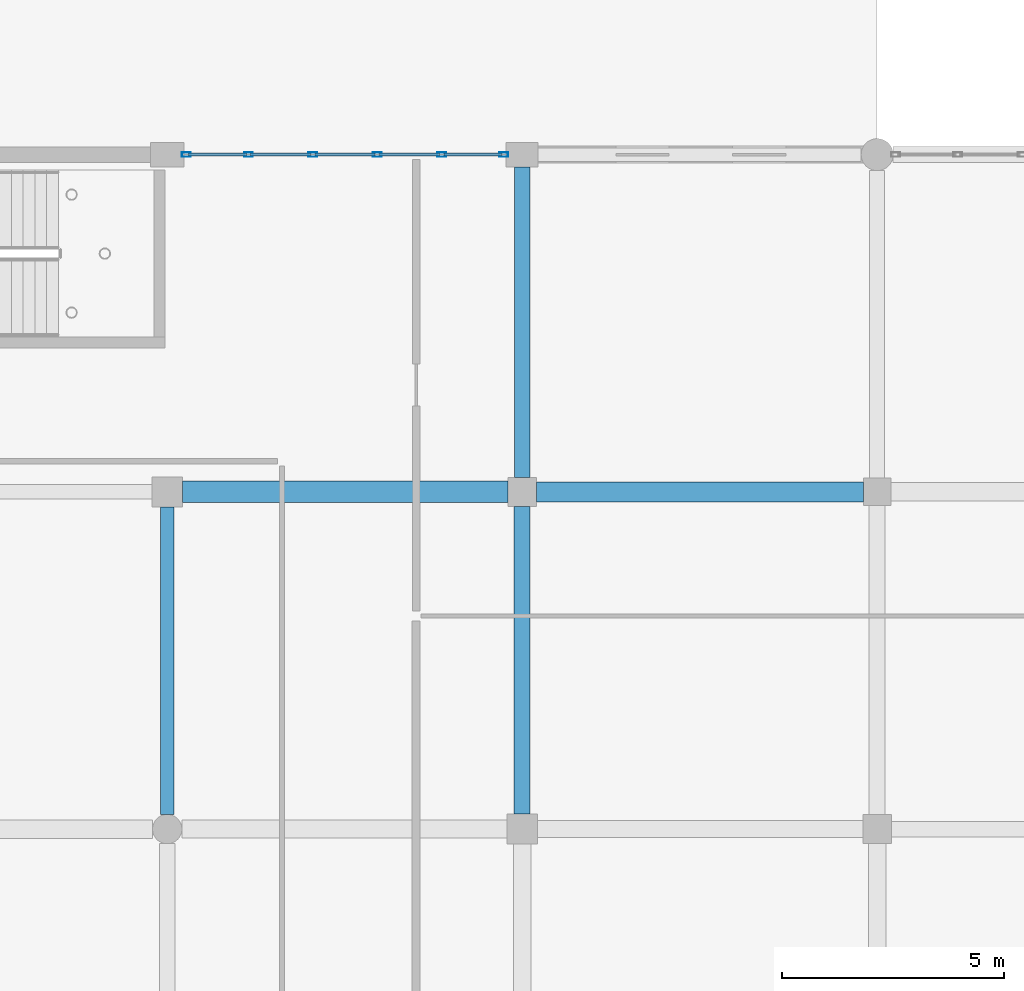
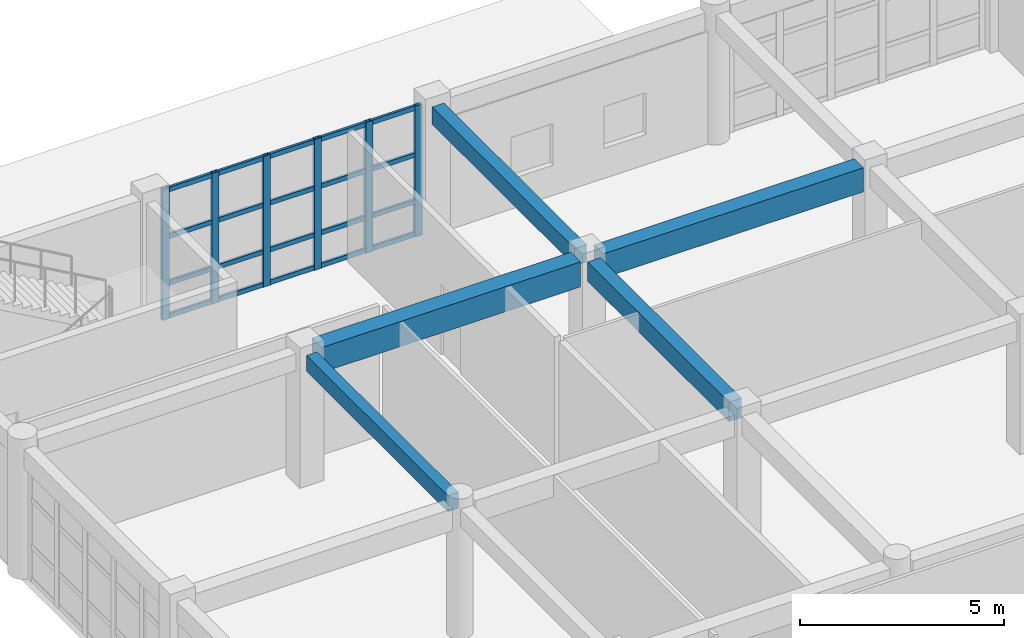
# One storey, part 121 of 195: 26 members, 5 beams, 1 element without a shape of its own.
"""IFC4 building model written with IfcOpenShell, lengths in metres."""

from ifc_helpers import new_model, si_unit, direction, frame, origin, origin_2d, place, context, subcontext, project, spatial, rectangle, hollow_rectangle, extrude, material, material_profile, profile_set, type_object, element, aggregate, save


model = new_model("IFC4")

# Units and contexts
model_context = context("Model", 3, precision=1e-05, world=origin(), true_north=direction((0.0, 1.0)))
body_context = subcontext(model_context, "Body", "Model", "MODEL_VIEW")
ifc_project = project(units=[si_unit("LENGTHUNIT", "METRE"), si_unit("AREAUNIT", "SQUARE_METRE"), si_unit("VOLUMEUNIT", "CUBIC_METRE"), si_unit("PLANEANGLEUNIT", "RADIAN"), si_unit("MASSUNIT", "GRAM", prefix="KILO")], contexts=[model_context])

# Site, building, storey
site_placement = place(None, origin())
site = spatial("IfcSite", under=ifc_project, at=site_placement, CompositionType="ELEMENT")
building_placement = place(site_placement, origin())
building = spatial("IfcBuilding", under=site, at=building_placement, Name="Kharva Crest Polytechnic", CompositionType="ELEMENT")
storey_placement = place(building_placement, frame((0.0, 0.0, 9.0)))
storey = spatial("IfcBuildingStorey", under=building, at=storey_placement, Name="L02", CompositionType="ELEMENT", Elevation=9.0)

# Beams
ifc_material_1 = material(Name="Concrete C35/45", Category="concrete")
ifc_material_profile_1 = material_profile(ifc_material_1, rectangle(XDim=0.300048828125, YDim=0.47998046875, at=origin_2d()), Name="RECT 300 X 480")
ifc_profile_set_1 = profile_set([ifc_material_profile_1], Name="Concrete C35/45")
beam_type_1 = type_object("IfcBeamType", Name="BM-RC-300X480", PredefinedType="BEAM", material=ifc_profile_set_1)
beam_1_placement = place(storey_placement, frame((128.800048828125, 15.530029296875, 3.679931640625), z_axis=(0.0, 1.0, 0.0), x_axis=(-1.0, 0.0, 0.0)))
element("IfcBeam", 1, at=beam_1_placement, inside=storey, type_object=beam_type_1, Name="L02 Girder 17/C-D", PredefinedType="BEAM", context=body_context, shape_type="SweptSolid", body=[
    extrude(rectangle(XDim=0.300048828125, YDim=0.47998046875, at=origin_2d()), origin(), (0.0, 0.0, 1.0), 6.929931640625),
])
ifc_material_profile_2 = material_profile(ifc_material_1, rectangle(XDim=0.340087890625, YDim=0.52001953125, at=origin_2d()), Name="RECT 340 X 520")
ifc_profile_set_2 = profile_set([ifc_material_profile_2], Name="Concrete C35/45")
beam_type_2 = type_object("IfcBeamType", Name="BM-RC-340X520", PredefinedType="BEAM", material=ifc_profile_set_2)
beam_2_placement = place(storey_placement, frame((136.800048828125, 23.125, 3.659912109375), z_axis=(0.0, 1.0, 0.0), x_axis=(-1.0, 0.0, 0.0)))
element("IfcBeam", 2, at=beam_2_placement, inside=storey, type_object=beam_type_2, Name="L02 Girder 18/D-E", PredefinedType="BEAM", context=body_context, shape_type="SweptSolid", body=[
    extrude(rectangle(XDim=0.340087890625, YDim=0.52001953125, at=origin_2d()), origin(), (0.0, 0.0, 1.0), 7.0),
])
ifc_material_profile_3 = material_profile(ifc_material_1, rectangle(XDim=0.360107421875, YDim=0.580078125, at=origin_2d()), Name="RECT 360 X 580")
ifc_profile_set_3 = profile_set([ifc_material_profile_3], Name="Concrete C35/45")
beam_type_3 = type_object("IfcBeamType", Name="BM-RC-360X580", PredefinedType="BEAM", material=ifc_profile_set_3)
beam_3_placement = place(storey_placement, frame((136.800048828125, 15.5400390625, 3.6298828125), z_axis=(0.0, 1.0, 0.0), x_axis=(-1.0, 0.0, 0.0)))
element("IfcBeam", 3, at=beam_3_placement, inside=storey, type_object=beam_type_3, Name="L02 Girder 18/C-D", PredefinedType="BEAM", context=body_context, shape_type="SweptSolid", body=[
    extrude(rectangle(XDim=0.360107421875, YDim=0.580078125, at=origin_2d()), origin(), (0.0, 0.0, 1.0), 6.93505859375),
])
ifc_material_profile_4 = material_profile(ifc_material_1, rectangle(XDim=0.449951171875, YDim=0.719970703125, at=origin_2d()), Name="RECT 450 X 720")
ifc_profile_set_4 = profile_set([ifc_material_profile_4], Name="Concrete C35/45")
beam_type_4 = type_object("IfcBeamType", Name="BM-RC-450X720", PredefinedType="BEAM", material=ifc_profile_set_4)
beam_4_placement = place(storey_placement, frame((137.125, 22.800048828125, 3.56005859375), z_axis=(1.0, 0.0, 0.0), x_axis=(0.0, 1.0, 0.0)))
element("IfcBeam", 4, at=beam_4_placement, inside=storey, type_object=beam_type_4, Name="L02 Beam D/18-19", PredefinedType="BEAM", context=body_context, shape_type="SweptSolid", body=[
    extrude(rectangle(XDim=0.449951171875, YDim=0.719970703125, at=origin_2d()), origin(), (0.0, 0.0, 1.0), 7.364990234375),
])
ifc_material_profile_5 = material_profile(ifc_material_1, rectangle(XDim=0.47998046875, YDim=0.75, at=origin_2d()), Name="RECT 480 X 750")
ifc_profile_set_5 = profile_set([ifc_material_profile_5], Name="Concrete C35/45")
beam_type_5 = type_object("IfcBeamType", Name="BM-RC-480X750", PredefinedType="BEAM", material=ifc_profile_set_5)
beam_5_placement = place(storey_placement, frame((129.139892578125, 22.800048828125, 3.544921875), z_axis=(1.0, 0.0, 0.0), x_axis=(0.0, 1.0, 0.0)))
element("IfcBeam", 5, at=beam_5_placement, inside=storey, type_object=beam_type_5, Name="L02 Beam D/17-18", PredefinedType="BEAM", context=body_context, shape_type="SweptSolid", body=[
    extrude(rectangle(XDim=0.47998046875, YDim=0.75, at=origin_2d()), origin(), (0.0, 0.0, 1.0), 7.335205078125),
])

# Curtain wall, members
ifc_material_2 = material(Name="Tempered insulated glass", Category="glass")
curtain_wall_type = type_object("IfcCurtainWallType", Name="CW-SYS-REFECTORY", PredefinedType="USERDEFINED", material=ifc_material_2)
curtain_wall_placement = place(storey_placement, origin())
curtain_wall = element("IfcCurtainWall", 6, at=curtain_wall_placement, inside=storey, type_object=curtain_wall_type, Name="L02 Glazed Curtain Wall CW-097", ObjectType="CURTAIN WALL", PredefinedType="USERDEFINED")
ifc_material_3 = material(Name="Steel S355", Category="steel")
ifc_material_profile_6 = material_profile(ifc_material_3, hollow_rectangle(XDim=0.10009765625, YDim=0.199951171875, WallThickness=0.00634765625, at=origin_2d()), Name="RHS 200X100X6.3")
ifc_profile_set_6 = profile_set([ifc_material_profile_6], Name="Steel S355")
member_type_1 = type_object("IfcMemberType", Name="CWM-RHS200X100", PredefinedType="MULLION", material=ifc_profile_set_6)
member_1_placement = place(storey_placement, frame((136.385009765625, 30.39990234375, 0.0), z_axis=(0.0, 0.0, 1.0), x_axis=(0.0, -1.0, 0.0)))
member_1 = element("IfcMember", 7, at=member_1_placement, type_object=member_type_1, Name="CW-097 mullion 1", PredefinedType="MULLION", context=body_context, shape_type="SweptSolid", body=[
    extrude(hollow_rectangle(XDim=0.10009765625, YDim=0.199951171875, WallThickness=0.00634765625, at=origin_2d()), origin(), (0.0, 0.0, 1.0), 3.919921875),
])
member_2_placement = place(storey_placement, frame((134.98388671875, 30.39990234375, 0.0), z_axis=(0.0, 0.0, 1.0), x_axis=(0.0, -1.0, 0.0)))
member_2 = element("IfcMember", 8, at=member_2_placement, type_object=member_type_1, Name="CW-097 mullion 2", PredefinedType="MULLION", context=body_context, shape_type="SweptSolid", body=[
    extrude(hollow_rectangle(XDim=0.10009765625, YDim=0.199951171875, WallThickness=0.00634765625, at=origin_2d()), origin(), (0.0, 0.0, 1.0), 3.919921875),
])
member_3_placement = place(storey_placement, frame((133.532958984375, 30.39990234375, 0.0), z_axis=(0.0, 0.0, 1.0), x_axis=(0.0, -1.0, 0.0)))
member_3 = element("IfcMember", 9, at=member_3_placement, type_object=member_type_1, Name="CW-097 mullion 3", PredefinedType="MULLION", context=body_context, shape_type="SweptSolid", body=[
    extrude(hollow_rectangle(XDim=0.10009765625, YDim=0.199951171875, WallThickness=0.00634765625, at=origin_2d()), origin(), (0.0, 0.0, 1.0), 3.919921875),
])
member_4_placement = place(storey_placement, frame((132.08203125, 30.39990234375, 0.0), z_axis=(0.0, 0.0, 1.0), x_axis=(0.0, -1.0, 0.0)))
member_4 = element("IfcMember", 10, at=member_4_placement, type_object=member_type_1, Name="CW-097 mullion 4", PredefinedType="MULLION", context=body_context, shape_type="SweptSolid", body=[
    extrude(hollow_rectangle(XDim=0.10009765625, YDim=0.199951171875, WallThickness=0.00634765625, at=origin_2d()), origin(), (0.0, 0.0, 1.0), 3.919921875),
])
member_5_placement = place(storey_placement, frame((130.631103515625, 30.39990234375, 0.0), z_axis=(0.0, 0.0, 1.0), x_axis=(0.0, -1.0, 0.0)))
member_5 = element("IfcMember", 11, at=member_5_placement, type_object=member_type_1, Name="CW-097 mullion 5", PredefinedType="MULLION", context=body_context, shape_type="SweptSolid", body=[
    extrude(hollow_rectangle(XDim=0.10009765625, YDim=0.199951171875, WallThickness=0.00634765625, at=origin_2d()), origin(), (0.0, 0.0, 1.0), 3.919921875),
])
member_6_placement = place(storey_placement, frame((129.22998046875, 30.39990234375, 0.0), z_axis=(0.0, 0.0, 1.0), x_axis=(0.0, -1.0, 0.0)))
member_6 = element("IfcMember", 12, at=member_6_placement, type_object=member_type_1, Name="CW-097 mullion 6", PredefinedType="MULLION", context=body_context, shape_type="SweptSolid", body=[
    extrude(hollow_rectangle(XDim=0.10009765625, YDim=0.199951171875, WallThickness=0.00634765625, at=origin_2d()), origin(), (0.0, 0.0, 1.0), 3.919921875),
])
ifc_material_profile_7 = material_profile(ifc_material_3, hollow_rectangle(XDim=0.070068359375, YDim=0.139892578125, WallThickness=0.00390625, at=origin_2d()), Name="RHS 140X70X4.0")
ifc_profile_set_7 = profile_set([ifc_material_profile_7], Name="Steel S355")
member_type_2 = type_object("IfcMemberType", Name="CWT-RHS140X70", PredefinedType="USERDEFINED", material=ifc_profile_set_7)
member_7_placement = place(storey_placement, frame((136.3349609375, 30.39990234375, 0.070068359375), z_axis=(-1.0, 0.0, 0.0), x_axis=(0.0, -1.0, 0.0)))
member_7 = element("IfcMember", 13, at=member_7_placement, type_object=member_type_2, Name="CW-097 transom 1.1", ObjectType="TRANSOM", PredefinedType="USERDEFINED", context=body_context, shape_type="SweptSolid", body=[
    extrude(hollow_rectangle(XDim=0.070068359375, YDim=0.139892578125, WallThickness=0.00390625, at=origin_2d()), origin(), (0.0, 0.0, 1.0), 1.301025390625),
])
member_8_placement = place(storey_placement, frame((136.3349609375, 30.39990234375, 1.050048828125), z_axis=(-1.0, 0.0, 0.0), x_axis=(0.0, -1.0, 0.0)))
member_8 = element("IfcMember", 14, at=member_8_placement, type_object=member_type_2, Name="CW-097 transom 1.2", ObjectType="TRANSOM", PredefinedType="USERDEFINED", context=body_context, shape_type="SweptSolid", body=[
    extrude(hollow_rectangle(XDim=0.070068359375, YDim=0.139892578125, WallThickness=0.00390625, at=origin_2d()), origin(), (0.0, 0.0, 1.0), 1.301025390625),
])
member_9_placement = place(storey_placement, frame((136.3349609375, 30.39990234375, 2.449951171875), z_axis=(-1.0, 0.0, 0.0), x_axis=(0.0, -1.0, 0.0)))
member_9 = element("IfcMember", 15, at=member_9_placement, type_object=member_type_2, Name="CW-097 transom 1.3", ObjectType="TRANSOM", PredefinedType="USERDEFINED", context=body_context, shape_type="SweptSolid", body=[
    extrude(hollow_rectangle(XDim=0.070068359375, YDim=0.139892578125, WallThickness=0.00390625, at=origin_2d()), origin(), (0.0, 0.0, 1.0), 1.301025390625),
])
member_10_placement = place(storey_placement, frame((136.3349609375, 30.39990234375, 3.85009765625), z_axis=(-1.0, 0.0, 0.0), x_axis=(0.0, -1.0, 0.0)))
member_10 = element("IfcMember", 16, at=member_10_placement, type_object=member_type_2, Name="CW-097 transom 1.4", ObjectType="TRANSOM", PredefinedType="USERDEFINED", context=body_context, shape_type="SweptSolid", body=[
    extrude(hollow_rectangle(XDim=0.070068359375, YDim=0.139892578125, WallThickness=0.00390625, at=origin_2d()), origin(), (0.0, 0.0, 1.0), 1.301025390625),
])
member_11_placement = place(storey_placement, frame((134.93408203125, 30.39990234375, 0.070068359375), z_axis=(-1.0, 0.0, 0.0), x_axis=(0.0, -1.0, 0.0)))
member_11 = element("IfcMember", 17, at=member_11_placement, type_object=member_type_2, Name="CW-097 transom 2.1", ObjectType="TRANSOM", PredefinedType="USERDEFINED", context=body_context, shape_type="SweptSolid", body=[
    extrude(hollow_rectangle(XDim=0.070068359375, YDim=0.139892578125, WallThickness=0.00390625, at=origin_2d()), origin(), (0.0, 0.0, 1.0), 1.35107421875),
])
member_12_placement = place(storey_placement, frame((134.93408203125, 30.39990234375, 1.050048828125), z_axis=(-1.0, 0.0, 0.0), x_axis=(0.0, -1.0, 0.0)))
member_12 = element("IfcMember", 18, at=member_12_placement, type_object=member_type_2, Name="CW-097 transom 2.2", ObjectType="TRANSOM", PredefinedType="USERDEFINED", context=body_context, shape_type="SweptSolid", body=[
    extrude(hollow_rectangle(XDim=0.070068359375, YDim=0.139892578125, WallThickness=0.00390625, at=origin_2d()), origin(), (0.0, 0.0, 1.0), 1.35107421875),
])
member_13_placement = place(storey_placement, frame((134.93408203125, 30.39990234375, 2.449951171875), z_axis=(-1.0, 0.0, 0.0), x_axis=(0.0, -1.0, 0.0)))
member_13 = element("IfcMember", 19, at=member_13_placement, type_object=member_type_2, Name="CW-097 transom 2.3", ObjectType="TRANSOM", PredefinedType="USERDEFINED", context=body_context, shape_type="SweptSolid", body=[
    extrude(hollow_rectangle(XDim=0.070068359375, YDim=0.139892578125, WallThickness=0.00390625, at=origin_2d()), origin(), (0.0, 0.0, 1.0), 1.35107421875),
])
member_14_placement = place(storey_placement, frame((134.93408203125, 30.39990234375, 3.85009765625), z_axis=(-1.0, 0.0, 0.0), x_axis=(0.0, -1.0, 0.0)))
member_14 = element("IfcMember", 20, at=member_14_placement, type_object=member_type_2, Name="CW-097 transom 2.4", ObjectType="TRANSOM", PredefinedType="USERDEFINED", context=body_context, shape_type="SweptSolid", body=[
    extrude(hollow_rectangle(XDim=0.070068359375, YDim=0.139892578125, WallThickness=0.00390625, at=origin_2d()), origin(), (0.0, 0.0, 1.0), 1.35107421875),
])
member_15_placement = place(storey_placement, frame((133.48291015625, 30.39990234375, 0.070068359375), z_axis=(-1.0, 0.0, 0.0), x_axis=(0.0, -1.0, 0.0)))
member_15 = element("IfcMember", 21, at=member_15_placement, type_object=member_type_2, Name="CW-097 transom 3.1", ObjectType="TRANSOM", PredefinedType="USERDEFINED", context=body_context, shape_type="SweptSolid", body=[
    extrude(hollow_rectangle(XDim=0.070068359375, YDim=0.139892578125, WallThickness=0.00390625, at=origin_2d()), origin(), (0.0, 0.0, 1.0), 1.350830078125),
])
member_16_placement = place(storey_placement, frame((133.48291015625, 30.39990234375, 1.050048828125), z_axis=(-1.0, 0.0, 0.0), x_axis=(0.0, -1.0, 0.0)))
member_16 = element("IfcMember", 22, at=member_16_placement, type_object=member_type_2, Name="CW-097 transom 3.2", ObjectType="TRANSOM", PredefinedType="USERDEFINED", context=body_context, shape_type="SweptSolid", body=[
    extrude(hollow_rectangle(XDim=0.070068359375, YDim=0.139892578125, WallThickness=0.00390625, at=origin_2d()), origin(), (0.0, 0.0, 1.0), 1.350830078125),
])
member_17_placement = place(storey_placement, frame((133.48291015625, 30.39990234375, 2.449951171875), z_axis=(-1.0, 0.0, 0.0), x_axis=(0.0, -1.0, 0.0)))
member_17 = element("IfcMember", 23, at=member_17_placement, type_object=member_type_2, Name="CW-097 transom 3.3", ObjectType="TRANSOM", PredefinedType="USERDEFINED", context=body_context, shape_type="SweptSolid", body=[
    extrude(hollow_rectangle(XDim=0.070068359375, YDim=0.139892578125, WallThickness=0.00390625, at=origin_2d()), origin(), (0.0, 0.0, 1.0), 1.350830078125),
])
member_18_placement = place(storey_placement, frame((133.48291015625, 30.39990234375, 3.85009765625), z_axis=(-1.0, 0.0, 0.0), x_axis=(0.0, -1.0, 0.0)))
member_18 = element("IfcMember", 24, at=member_18_placement, type_object=member_type_2, Name="CW-097 transom 3.4", ObjectType="TRANSOM", PredefinedType="USERDEFINED", context=body_context, shape_type="SweptSolid", body=[
    extrude(hollow_rectangle(XDim=0.070068359375, YDim=0.139892578125, WallThickness=0.00390625, at=origin_2d()), origin(), (0.0, 0.0, 1.0), 1.350830078125),
])
member_19_placement = place(storey_placement, frame((132.031982421875, 30.39990234375, 0.070068359375), z_axis=(-1.0, 0.0, 0.0), x_axis=(0.0, -1.0, 0.0)))
member_19 = element("IfcMember", 25, at=member_19_placement, type_object=member_type_2, Name="CW-097 transom 4.1", ObjectType="TRANSOM", PredefinedType="USERDEFINED", context=body_context, shape_type="SweptSolid", body=[
    extrude(hollow_rectangle(XDim=0.070068359375, YDim=0.139892578125, WallThickness=0.00390625, at=origin_2d()), origin(), (0.0, 0.0, 1.0), 1.35107421875),
])
member_20_placement = place(storey_placement, frame((132.031982421875, 30.39990234375, 1.050048828125), z_axis=(-1.0, 0.0, 0.0), x_axis=(0.0, -1.0, 0.0)))
member_20 = element("IfcMember", 26, at=member_20_placement, type_object=member_type_2, Name="CW-097 transom 4.2", ObjectType="TRANSOM", PredefinedType="USERDEFINED", context=body_context, shape_type="SweptSolid", body=[
    extrude(hollow_rectangle(XDim=0.070068359375, YDim=0.139892578125, WallThickness=0.00390625, at=origin_2d()), origin(), (0.0, 0.0, 1.0), 1.35107421875),
])
member_21_placement = place(storey_placement, frame((132.031982421875, 30.39990234375, 2.449951171875), z_axis=(-1.0, 0.0, 0.0), x_axis=(0.0, -1.0, 0.0)))
member_21 = element("IfcMember", 27, at=member_21_placement, type_object=member_type_2, Name="CW-097 transom 4.3", ObjectType="TRANSOM", PredefinedType="USERDEFINED", context=body_context, shape_type="SweptSolid", body=[
    extrude(hollow_rectangle(XDim=0.070068359375, YDim=0.139892578125, WallThickness=0.00390625, at=origin_2d()), origin(), (0.0, 0.0, 1.0), 1.35107421875),
])
member_22_placement = place(storey_placement, frame((132.031982421875, 30.39990234375, 3.85009765625), z_axis=(-1.0, 0.0, 0.0), x_axis=(0.0, -1.0, 0.0)))
member_22 = element("IfcMember", 28, at=member_22_placement, type_object=member_type_2, Name="CW-097 transom 4.4", ObjectType="TRANSOM", PredefinedType="USERDEFINED", context=body_context, shape_type="SweptSolid", body=[
    extrude(hollow_rectangle(XDim=0.070068359375, YDim=0.139892578125, WallThickness=0.00390625, at=origin_2d()), origin(), (0.0, 0.0, 1.0), 1.35107421875),
])
member_23_placement = place(storey_placement, frame((130.5810546875, 30.39990234375, 0.070068359375), z_axis=(-1.0, 0.0, 0.0), x_axis=(0.0, -1.0, 0.0)))
member_23 = element("IfcMember", 29, at=member_23_placement, type_object=member_type_2, Name="CW-097 transom 5.1", ObjectType="TRANSOM", PredefinedType="USERDEFINED", context=body_context, shape_type="SweptSolid", body=[
    extrude(hollow_rectangle(XDim=0.070068359375, YDim=0.139892578125, WallThickness=0.00390625, at=origin_2d()), origin(), (0.0, 0.0, 1.0), 1.301025390625),
])
member_24_placement = place(storey_placement, frame((130.5810546875, 30.39990234375, 1.050048828125), z_axis=(-1.0, 0.0, 0.0), x_axis=(0.0, -1.0, 0.0)))
member_24 = element("IfcMember", 30, at=member_24_placement, type_object=member_type_2, Name="CW-097 transom 5.2", ObjectType="TRANSOM", PredefinedType="USERDEFINED", context=body_context, shape_type="SweptSolid", body=[
    extrude(hollow_rectangle(XDim=0.070068359375, YDim=0.139892578125, WallThickness=0.00390625, at=origin_2d()), origin(), (0.0, 0.0, 1.0), 1.301025390625),
])
member_25_placement = place(storey_placement, frame((130.5810546875, 30.39990234375, 2.449951171875), z_axis=(-1.0, 0.0, 0.0), x_axis=(0.0, -1.0, 0.0)))
member_25 = element("IfcMember", 31, at=member_25_placement, type_object=member_type_2, Name="CW-097 transom 5.3", ObjectType="TRANSOM", PredefinedType="USERDEFINED", context=body_context, shape_type="SweptSolid", body=[
    extrude(hollow_rectangle(XDim=0.070068359375, YDim=0.139892578125, WallThickness=0.00390625, at=origin_2d()), origin(), (0.0, 0.0, 1.0), 1.301025390625),
])
member_26_placement = place(storey_placement, frame((130.5810546875, 30.39990234375, 3.85009765625), z_axis=(-1.0, 0.0, 0.0), x_axis=(0.0, -1.0, 0.0)))
member_26 = element("IfcMember", 32, at=member_26_placement, type_object=member_type_2, Name="CW-097 transom 5.4", ObjectType="TRANSOM", PredefinedType="USERDEFINED", context=body_context, shape_type="SweptSolid", body=[
    extrude(hollow_rectangle(XDim=0.070068359375, YDim=0.139892578125, WallThickness=0.00390625, at=origin_2d()), origin(), (0.0, 0.0, 1.0), 1.301025390625),
])
aggregate(curtain_wall, [member_1, member_2, member_3, member_4, member_5, member_6, member_7, member_8, member_9, member_10, member_11, member_12, member_13, member_14, member_15, member_16, member_17, member_18, member_19, member_20, member_21, member_22, member_23, member_24, member_25, member_26])

save(model, "model.ifc")
